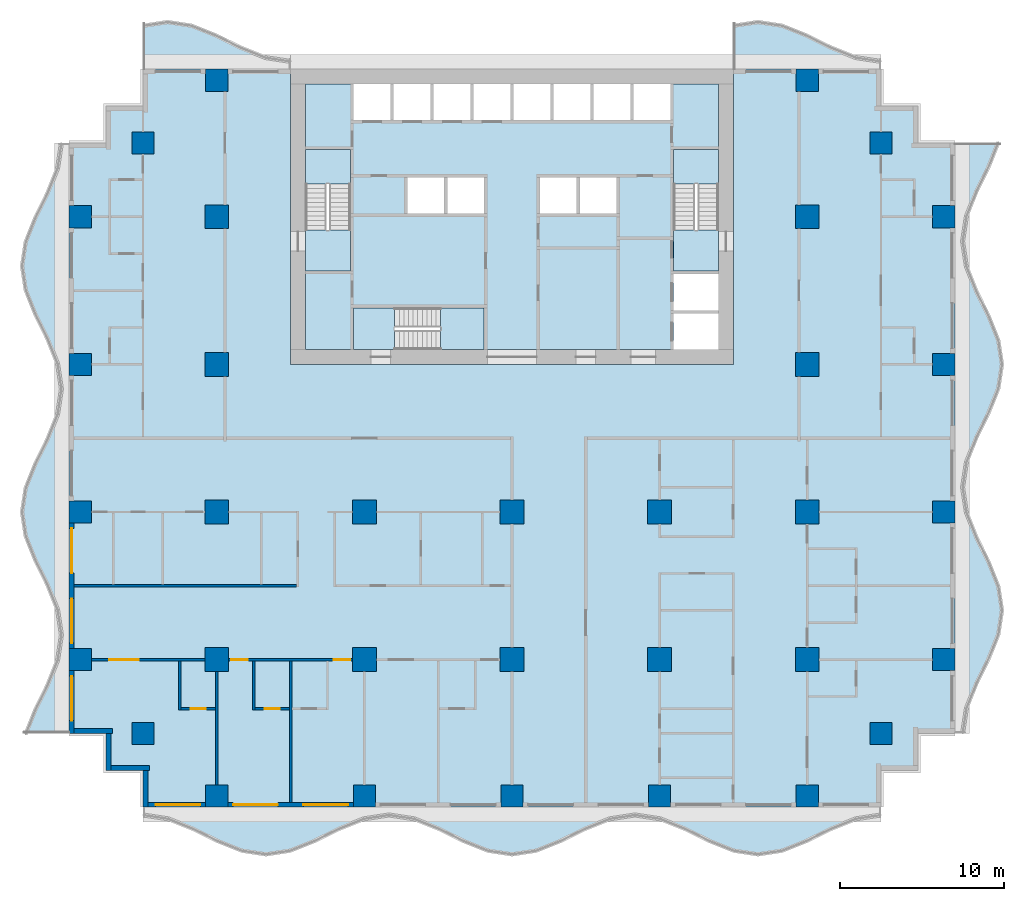
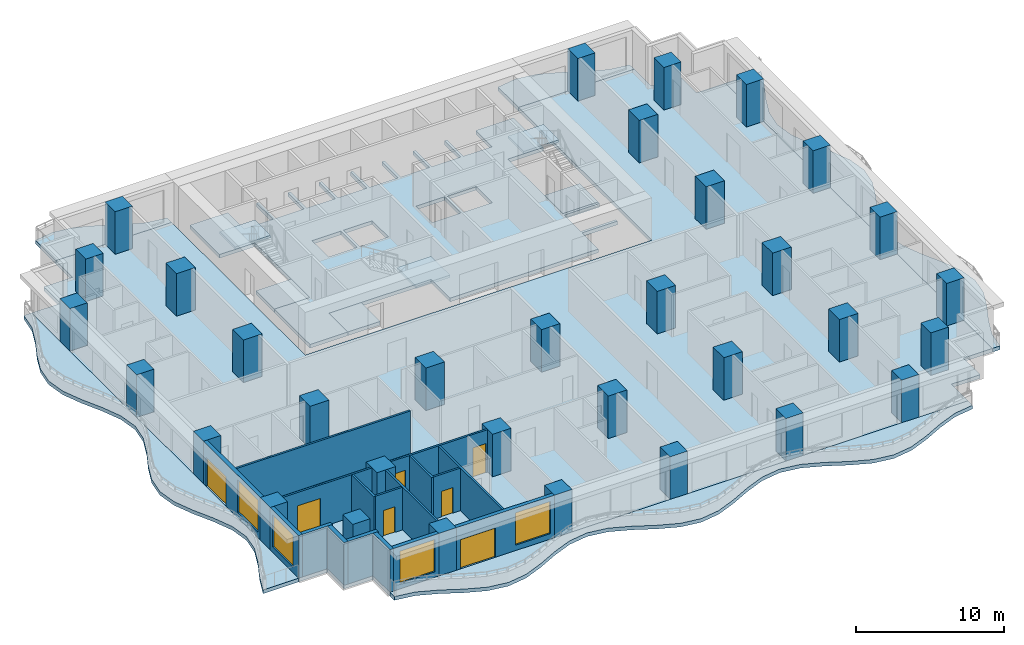
# One storey, part 1 of 13: 33 columns, 17 walls, 13 slabs, 7 doors, 4 windows, 11 openings, 3 elements without a shape of their own.
"""IFC4 building model written with IfcOpenShell, lengths in metres."""

from ifc_helpers import new_model, si_unit, direction, frame, frame_2d, origin, origin_2d, place, context, subcontext, project, spatial, polyline, rectangle, outline, extrude, material, layer, layer_set, material_profile, profile_set, type_object, element, fill, aggregate, save


model = new_model("IFC4")

# Units and contexts
model_context = context("Model", 3, precision=1e-05, world=origin(), true_north=direction((0.0, 1.0)))
body_context = subcontext(model_context, "Body", "Model", "MODEL_VIEW")
ifc_project = project(units=[si_unit("LENGTHUNIT", "METRE"), si_unit("AREAUNIT", "SQUARE_METRE"), si_unit("VOLUMEUNIT", "CUBIC_METRE"), si_unit("PLANEANGLEUNIT", "RADIAN"), si_unit("MASSUNIT", "GRAM", prefix="KILO")], contexts=[model_context])

# Site, building, storey
site_placement = place(None, origin())
site = spatial("IfcSite", under=ifc_project, at=site_placement, CompositionType="ELEMENT")
building_placement = place(site_placement, origin())
building = spatial("IfcBuilding", under=site, at=building_placement, Name="Orbiselva Terraces", CompositionType="ELEMENT")
storey_placement = place(building_placement, frame((0.0, 0.0, 69.4)))
storey = spatial("IfcBuildingStorey", under=building, at=storey_placement, Name="L17", CompositionType="ELEMENT", Elevation=69.4)

# Columns
ifc_material_1 = material(Name="Concrete C70/85", Category="concrete")
ifc_material_profile_1 = material_profile(ifc_material_1, rectangle(XDim=1.45, YDim=1.45, at=origin_2d()), Name="RC 1450x1450")
ifc_profile_set_1 = profile_set([ifc_material_profile_1], Name="Concrete C70/85")
column_type_1 = type_object("IfcColumnType", Name="COLUMN RC 1450x1450", PredefinedType="COLUMN", material=ifc_profile_set_1)
for number, where, z_axis, x_axis, name in (
    (1, (-18.0, -13.5, 0.0), (0.0, 0.0, 1.0), (1.0, 0.0, 0.0), "Column L17-01"),
    (2, (-18.0, -4.5, 0.0), (0.0, 0.0, 1.0), (1.0, 0.0, 0.0), "Column L17-03"),
    (3, (-18.0, 13.5, 0.0), (0.0, 0.0, 1.0), (1.0, 0.0, 0.0), "Column L17-04"),
    (4, (-18.0, 4.5, 0.0), (0.0, 0.0, 1.0), (1.0, 0.0, 0.0), "Column L17-06"),
    (5, (-9.0, -13.5, 0.0), (0.0, 0.0, 1.0), (1.0, 0.0, 0.0), "Column L17-13"),
    (6, (-9.0, -4.5, 0.0), (0.0, 0.0, 1.0), (1.0, 0.0, 0.0), "Column L17-15"),
    (7, (0.0, -13.5, 0.0), (0.0, 0.0, 1.0), (1.0, 0.0, 0.0), "Column L17-16"),
    (8, (0.0, -4.5, 0.0), (0.0, 0.0, 1.0), (1.0, 0.0, 0.0), "Column L17-18"),
    (9, (18.0, -13.5, 0.0), (0.0, 0.0, 1.0), (1.0, 0.0, 0.0), "Column L17-19"),
    (10, (18.0, -4.5, 0.0), (0.0, 0.0, 1.0), (1.0, 0.0, 0.0), "Column L17-21"),
    (11, (18.0, 13.5, 0.0), (0.0, 0.0, 1.0), (1.0, 0.0, 0.0), "Column L17-22"),
    (12, (18.0, 4.5, 0.0), (0.0, 0.0, 1.0), (1.0, 0.0, 0.0), "Column L17-24"),
    (13, (9.0, -13.5, 0.0), (0.0, 0.0, 1.0), (1.0, 0.0, 0.0), "Column L17-31"),
    (14, (9.0, -4.5, 0.0), (0.0, 0.0, 1.0), (1.0, 0.0, 0.0), "Column L17-33"),
):
    element("IfcColumn", number, at=place(storey_placement, frame(where, z_axis=z_axis, x_axis=x_axis)), inside=storey, type_object=column_type_1, Name=name, PredefinedType="COLUMN", context=body_context, shape_type="SweptSolid", body=[
        extrude(rectangle(XDim=1.45, YDim=1.45, at=origin_2d()), origin(), (0.0, 0.0, 1.0), 3.5),
    ])
ifc_material_profile_2 = material_profile(ifc_material_1, rectangle(XDim=1.35, YDim=1.35, at=origin_2d()), Name="RC 1350x1350")
ifc_profile_set_2 = profile_set([ifc_material_profile_2], Name="Concrete C70/85")
column_type_2 = type_object("IfcColumnType", Name="PERIMETER COLUMN RC 1350x1350", PredefinedType="COLUMN", material=ifc_profile_set_2)
for number, where, z_axis, x_axis, name in (
    (15, (-18.0, -21.825, 0.0), (0.0, 0.0, 1.0), (1.0, 0.0, 0.0), "Column L17-02"),
    (16, (-18.0, 21.825, 0.0), (0.0, 0.0, 1.0), (1.0, 0.0, 0.0), "Column L17-05"),
    (17, (-26.325, -13.5, 0.0), (0.0, 0.0, 1.0), (1.0, 0.0, 0.0), "Column L17-07"),
    (18, (-22.5, -18.0, 0.0), (0.0, 0.0, 1.0), (1.0, 0.0, 0.0), "Column L17-08"),
    (19, (-26.325, -4.5, 0.0), (0.0, 0.0, 1.0), (1.0, 0.0, 0.0), "Column L17-09"),
    (20, (-26.325, 13.5, 0.0), (0.0, 0.0, 1.0), (1.0, 0.0, 0.0), "Column L17-10"),
    (21, (-22.5, 18.0, 0.0), (0.0, 0.0, 1.0), (1.0, 0.0, 0.0), "Column L17-11"),
    (22, (-26.325, 4.5, 0.0), (0.0, 0.0, 1.0), (1.0, 0.0, 0.0), "Column L17-12"),
    (23, (-9.0, -21.825, 0.0), (0.0, 0.0, 1.0), (1.0, 0.0, 0.0), "Column L17-14"),
    (24, (0.0, -21.825, 0.0), (0.0, 0.0, 1.0), (1.0, 0.0, 0.0), "Column L17-17"),
    (25, (18.0, -21.825, 0.0), (0.0, 0.0, 1.0), (1.0, 0.0, 0.0), "Column L17-20"),
    (26, (18.0, 21.825, 0.0), (0.0, 0.0, 1.0), (1.0, 0.0, 0.0), "Column L17-23"),
    (27, (26.325, -13.5, 0.0), (0.0, 0.0, 1.0), (1.0, 0.0, 0.0), "Column L17-25"),
    (28, (22.5, -18.0, 0.0), (0.0, 0.0, 1.0), (1.0, 0.0, 0.0), "Column L17-26"),
    (29, (26.325, -4.5, 0.0), (0.0, 0.0, 1.0), (1.0, 0.0, 0.0), "Column L17-27"),
    (30, (26.325, 13.5, 0.0), (0.0, 0.0, 1.0), (1.0, 0.0, 0.0), "Column L17-28"),
    (31, (22.5, 18.0, 0.0), (0.0, 0.0, 1.0), (1.0, 0.0, 0.0), "Column L17-29"),
    (32, (26.325, 4.5, 0.0), (0.0, 0.0, 1.0), (1.0, 0.0, 0.0), "Column L17-30"),
    (33, (9.0, -21.825, 0.0), (0.0, 0.0, 1.0), (1.0, 0.0, 0.0), "Column L17-32"),
):
    element("IfcColumn", number, at=place(storey_placement, frame(where, z_axis=z_axis, x_axis=x_axis)), inside=storey, type_object=column_type_2, Name=name, PredefinedType="COLUMN", context=body_context, shape_type="SweptSolid", body=[
        extrude(rectangle(XDim=1.35, YDim=1.35, at=origin_2d()), origin(), (0.0, 0.0, 1.0), 3.5),
    ])

# Slabs
ifc_material_2 = material(Name="Concrete C40/50", Category="concrete")
ifc_layer_1 = layer(ifc_material_2, 0.3)
ifc_layer_set_1 = layer_set([ifc_layer_1], Name="Concrete C40/50")
slab_type_1 = type_object("IfcSlabType", Name="CORE-SLAB-FLOOR-300", PredefinedType="FLOOR", material=ifc_layer_set_1)
slab_1_placement = place(storey_placement, frame((0.0, 0.0, -0.3)))
element("IfcSlab", 34, at=slab_1_placement, inside=storey, type_object=slab_type_1, Name="L17 S1 floor landing", PredefinedType="FLOOR", context=body_context, shape_type="SweptSolid", body=[
    extrude(outline(polyline([(-12.6, 12.7), (-9.85, 12.7), (-9.85, 10.2), (-12.6, 10.2), (-12.6, 12.7)])), origin(), (0.0, 0.0, 1.0), 0.3),
])
slab_2_placement = place(storey_placement, frame((0.0, 0.0, -0.3)))
element("IfcSlab", 35, at=slab_2_placement, inside=storey, type_object=slab_type_1, Name="L17 S2 floor landing", PredefinedType="FLOOR", context=body_context, shape_type="SweptSolid", body=[
    extrude(outline(polyline([(12.6, 12.7), (12.6, 10.2), (9.85, 10.2), (9.85, 12.7), (12.6, 12.7)])), origin(), (0.0, 0.0, 1.0), 0.3),
])
slab_3_placement = place(storey_placement, frame((0.0, 0.0, -0.3)))
element("IfcSlab", 36, at=slab_3_placement, inside=storey, type_object=slab_type_1, Name="L17 S3 floor landing", PredefinedType="FLOOR", context=body_context, shape_type="SweptSolid", body=[
    extrude(outline(polyline([(-7.15, 5.4), (-9.65, 5.4), (-9.65, 7.95), (-7.15, 7.95), (-7.15, 5.4)])), origin(), (0.0, 0.0, 1.0), 0.3),
])
slab_4_placement = place(storey_placement, frame((0.0, 0.0, -0.3)))
element("IfcSlab", 37, at=slab_4_placement, inside=storey, type_object=slab_type_1, Name="L17 core floor slab 1", PredefinedType="FLOOR", context=body_context, shape_type="SweptSolid", body=[
    extrude(outline(polyline([(-1.7, 5.4), (-1.7, 7.95), (-9.65, 7.95), (-9.65, 5.4), (-12.6, 5.4), (-12.6, 10.2), (-9.85, 10.2), (-9.85, 17.6), (-12.6, 17.6), (-12.6, 21.6), (-9.65, 21.6), (-9.65, 19.4), (-7.4125, 19.4), (-7.4125, 21.6), (-7.2125, 21.6), (-7.2125, 19.4), (-4.975, 19.4), (-4.975, 21.6), (-4.775, 21.6), (-4.775, 19.4), (-2.5375, 19.4), (-2.5375, 21.6), (-2.3375, 21.6), (-2.3375, 19.4), (-0.1, 19.4), (-0.1, 21.6), (0.1, 21.6), (0.1, 19.4), (2.3375, 19.4), (2.3375, 21.6), (2.5375, 21.6), (2.5375, 19.4), (4.775, 19.4), (4.775, 21.6), (4.975, 21.6), (4.975, 19.4), (7.2125, 19.4), (7.2125, 21.6), (7.4125, 21.6), (7.4125, 19.4), (9.65, 19.4), (9.65, 21.6), (12.6, 21.6), (12.6, 17.6), (9.85, 17.6), (9.85, 10.2), (12.6, 10.2), (12.6, 10.0), (9.85, 10.0), (9.85, 7.8), (12.6, 7.8), (12.6, 7.6), (9.85, 7.6), (9.85, 5.4), (-1.7, 5.4)]), holes=[polyline([(-4.1375, 13.7), (-4.1375, 15.9), (-6.375, 15.9), (-6.375, 13.7), (-4.1375, 13.7)]), polyline([(-1.7, 13.7), (-1.7, 15.9), (-3.9375, 15.9), (-3.9375, 13.7), (-1.7, 13.7)]), polyline([(3.9375, 13.7), (3.9375, 15.9), (1.7, 15.9), (1.7, 13.7), (3.9375, 13.7)]), polyline([(6.375, 13.7), (6.375, 15.9), (4.1375, 15.9), (4.1375, 13.7), (6.375, 13.7)])]), origin(), (0.0, 0.0, 1.0), 0.3),
])

# Stair, slab
stair_type_1 = type_object("IfcStairType", Name="CORE-STAIR-1300", PredefinedType="HALF_TURN_STAIR", material=ifc_material_2)
stair_1_placement = place(storey_placement, origin())
stair_1 = element("IfcStair", 38, at=stair_1_placement, inside=storey, type_object=stair_type_1, Name="L17 Exit Stair S1", PredefinedType="HALF_TURN_STAIR")
ifc_layer_2 = layer(ifc_material_2, 0.2)
ifc_layer_set_2 = layer_set([ifc_layer_2], Name="Concrete C40/50")
slab_type_2 = type_object("IfcSlabType", Name="CORE-STAIR-LANDING-200", PredefinedType="LANDING", material=ifc_layer_set_2)
slab_5_placement = place(storey_placement, frame((0.0, 0.0, 1.7)))
slab_5 = element("IfcSlab", 39, at=slab_5_placement, type_object=slab_type_2, Name="S1 landing 1", PredefinedType="LANDING", context=body_context, shape_type="SweptSolid", body=[
    extrude(outline(polyline([(-9.85, 15.5), (-9.85, 17.6), (-12.6, 17.6), (-12.6, 15.5), (-9.85, 15.5)])), origin(), (0.0, 0.0, 1.0), 0.2),
])
aggregate(stair_1, [slab_5])

stair_2_placement = place(storey_placement, origin())
stair_2 = element("IfcStair", 40, at=stair_2_placement, inside=storey, type_object=stair_type_1, Name="L17 Exit Stair S2", PredefinedType="HALF_TURN_STAIR")
slab_6_placement = place(storey_placement, frame((0.0, 0.0, 1.7)))
slab_6 = element("IfcSlab", 41, at=slab_6_placement, type_object=slab_type_2, Name="S2 landing 1", PredefinedType="LANDING", context=body_context, shape_type="SweptSolid", body=[
    extrude(outline(polyline([(12.6, 15.5), (12.6, 17.6), (9.85, 17.6), (9.85, 15.5), (12.6, 15.5)])), origin(), (0.0, 0.0, 1.0), 0.2),
])
aggregate(stair_2, [slab_6])

stair_type_2 = type_object("IfcStairType", Name="CORE-STAIR-1200", PredefinedType="HALF_TURN_STAIR", material=ifc_material_2)
stair_3_placement = place(storey_placement, origin())
stair_3 = element("IfcStair", 42, at=stair_3_placement, inside=storey, type_object=stair_type_2, Name="L17 Exit Stair S3", PredefinedType="HALF_TURN_STAIR")
slab_7_placement = place(storey_placement, frame((0.0, 0.0, 1.7)))
slab_7 = element("IfcSlab", 43, at=slab_7_placement, type_object=slab_type_2, Name="S3 landing 1", PredefinedType="LANDING", context=body_context, shape_type="SweptSolid", body=[
    extrude(outline(polyline([(-4.35, 5.4), (-1.7, 5.4), (-1.7, 7.95), (-4.35, 7.95), (-4.35, 5.4)])), origin(), (0.0, 0.0, 1.0), 0.2),
])
aggregate(stair_3, [slab_7])

# Slabs
ifc_material_3 = material(Name="Concrete C50/60", Category="concrete")
ifc_layer_3 = layer(ifc_material_3, 0.3)
ifc_layer_set_3 = layer_set([ifc_layer_3], Name="Concrete C50/60")
slab_type_3 = type_object("IfcSlabType", Name="ENV-BALCONY-SLAB-300", PredefinedType="FLOOR", material=ifc_layer_set_3)
slab_8_placement = place(storey_placement, frame((0.0, 0.0, -0.3)))
element("IfcSlab", 44, at=slab_8_placement, inside=storey, type_object=slab_type_3, Name="Balcony slab L17 S", PredefinedType="FLOOR", context=body_context, shape_type="SweptSolid", body=[
    extrude(outline(polyline([(-22.5, -23.1), (-21.0, -23.32918), (-19.5, -23.92918), (-18.0, -24.67082), (-16.5, -25.27082), (-15.0, -25.5), (-13.5, -25.27082), (-12.0, -24.67082), (-10.5, -23.92918), (-9.0, -23.32918), (-7.5, -23.1), (-6.0, -23.32918), (-4.5, -23.92918), (-3.0, -24.67082), (-1.5, -25.27082), (0.0, -25.5), (1.5, -25.27082), (3.0, -24.67082), (4.5, -23.92918), (6.0, -23.32918), (7.5, -23.1), (9.0, -23.32918), (10.5, -23.92918), (12.0, -24.67082), (13.5, -25.27082), (15.0, -25.5), (16.5, -25.27082), (18.0, -24.67082), (19.5, -23.92918), (21.0, -23.32918), (22.5, -23.1), (22.5, -22.5), (-22.5, -22.5), (-22.5, -23.1)])), origin(), (0.0, 0.0, 1.0), 0.3),
])
slab_9_placement = place(storey_placement, frame((0.0, 0.0, -0.3)))
element("IfcSlab", 45, at=slab_9_placement, inside=storey, type_object=slab_type_3, Name="Balcony slab L17 E", PredefinedType="FLOOR", context=body_context, shape_type="SweptSolid", body=[
    extrude(outline(polyline([(27.6, -18.0), (27.82918, -16.5), (28.42918, -15.0), (29.17082, -13.5), (29.77082, -12.0), (30.0, -10.5), (29.77082, -9.0), (29.17082, -7.5), (28.42918, -6.0), (27.82918, -4.5), (27.6, -3.0), (27.82918, -1.5), (28.42918, 0.0), (29.17082, 1.5), (29.77082, 3.0), (30.0, 4.5), (29.77082, 6.0), (29.17082, 7.5), (28.42918, 9.0), (27.82918, 10.5), (27.6, 12.0), (27.82918, 13.5), (28.42918, 15.0), (29.17082, 16.5), (29.77082, 18.0), (27.0, 18.0), (27.0, -18.0), (27.6, -18.0)])), origin(), (0.0, 0.0, 1.0), 0.3),
])
slab_10_placement = place(storey_placement, frame((0.0, 0.0, -0.3)))
element("IfcSlab", 46, at=slab_10_placement, inside=storey, type_object=slab_type_3, Name="Balcony slab L17 NE", PredefinedType="FLOOR", context=body_context, shape_type="SweptSolid", body=[
    extrude(outline(polyline([(22.5, 23.1), (21.0, 23.32918), (19.5, 23.92918), (18.0, 24.67082), (16.5, 25.27082), (15.0, 25.5), (13.5, 25.27082), (13.5, 22.5), (22.5, 22.5), (22.5, 23.1)])), origin(), (0.0, 0.0, 1.0), 0.3),
])
slab_11_placement = place(storey_placement, frame((0.0, 0.0, -0.3)))
element("IfcSlab", 47, at=slab_11_placement, inside=storey, type_object=slab_type_3, Name="Balcony slab L17 NW", PredefinedType="FLOOR", context=body_context, shape_type="SweptSolid", body=[
    extrude(outline(polyline([(-13.5, 23.1), (-15.0, 23.32918), (-16.5, 23.92918), (-18.0, 24.67082), (-19.5, 25.27082), (-21.0, 25.5), (-22.5, 25.27082), (-22.5, 22.5), (-13.5, 22.5), (-13.5, 23.1)])), origin(), (0.0, 0.0, 1.0), 0.3),
])
slab_12_placement = place(storey_placement, frame((0.0, 0.0, -0.3)))
element("IfcSlab", 48, at=slab_12_placement, inside=storey, type_object=slab_type_3, Name="Balcony slab L17 W", PredefinedType="FLOOR", context=body_context, shape_type="SweptSolid", body=[
    extrude(outline(polyline([(-27.6, 18.0), (-27.82918, 16.5), (-28.42918, 15.0), (-29.17082, 13.5), (-29.77082, 12.0), (-30.0, 10.5), (-29.77082, 9.0), (-29.17082, 7.5), (-28.42918, 6.0), (-27.82918, 4.5), (-27.6, 3.0), (-27.82918, 1.5), (-28.42918, 0.0), (-29.17082, -1.5), (-29.77082, -3.0), (-30.0, -4.5), (-29.77082, -6.0), (-29.17082, -7.5), (-28.42918, -9.0), (-27.82918, -10.5), (-27.6, -12.0), (-27.82918, -13.5), (-28.42918, -15.0), (-29.17082, -16.5), (-29.77082, -18.0), (-27.0, -18.0), (-27.0, 18.0), (-27.6, 18.0)])), origin(), (0.0, 0.0, 1.0), 0.3),
])
ifc_layer_4 = layer(ifc_material_3, 0.3)
ifc_layer_set_4 = layer_set([ifc_layer_4], Name="Concrete C50/60")
slab_type_4 = type_object("IfcSlabType", Name="FLOOR SLAB 300", PredefinedType="FLOOR", material=ifc_layer_set_4)
slab_13_placement = place(storey_placement, frame((0.0, 0.0, -0.3)))
element("IfcSlab", 49, at=slab_13_placement, inside=storey, type_object=slab_type_4, Name="Floor slab L17", PredefinedType="FLOOR", context=body_context, shape_type="SweptSolid", body=[
    extrude(outline(polyline([(22.5, 22.5), (22.5, 20.25), (24.75, 20.25), (24.75, 18.0), (27.0, 18.0), (27.0, -18.0), (24.75, -18.0), (24.75, -20.25), (22.5, -20.25), (22.5, -22.5), (-22.5, -22.5), (-22.5, -20.25), (-24.75, -20.25), (-24.75, -18.0), (-27.0, -18.0), (-27.0, 18.0), (-24.75, 18.0), (-24.75, 20.25), (-22.5, 20.25), (-22.5, 22.5), (-13.5, 22.5), (-13.5, 4.5), (13.5, 4.5), (13.5, 22.5), (22.5, 22.5)])), origin(), (0.0, 0.0, 1.0), 0.3),
])

# Wall, opening, window
ifc_material_4 = material(Name="Terracotta cladding on masonry backing", Category="masonry")
ifc_layer_5 = layer(ifc_material_4, 0.3)
ifc_layer_set_5 = layer_set([ifc_layer_5], Name="Terracotta cladding on masonry backing")
wall_type_1 = type_object("IfcWallType", Name="ENV-WALL-TERRACOTTA-300", PredefinedType="SOLIDWALL", material=ifc_layer_set_5)
wall_1_placement = place(storey_placement, frame((-18.675, -22.35, 0.0), z_axis=(0.0, 0.0, 1.0), x_axis=(-1.0, 0.0, 0.0)))
wall_1 = element("IfcWall", 50, at=wall_1_placement, inside=storey, type_object=wall_type_1, Name="Facade wall L17 S", PredefinedType="SOLIDWALL", context=body_context, shape_type="SweptSolid", body=[
    extrude(rectangle(XDim=3.525, YDim=0.3, at=frame_2d((1.7625, 0.0))), origin(), (0.0, 0.0, 1.0), 3.5),
])
opening_1_placement = place(wall_1_placement, frame((0.325, 0.0, 0.45)))
opening_1 = element("IfcOpeningElement", 51, at=opening_1_placement, cuts=wall_1, Name="Opening WN5", PredefinedType="OPENING", context=body_context, shape_type="SweptSolid", body=[
    extrude(rectangle(XDim=2.725, YDim=2.65, at=frame_2d((1.3625, 1.325))), frame((0.0, 0.16, 0.0), z_axis=(0.0, -1.0, 0.0), x_axis=(1.0, 0.0, 0.0)), (0.0, 0.0, 1.0), 0.32),
])
ifc_material_5 = material(Name="Clear low-e glazing in aluminium frame", Category="aluminium")
window_type = type_object("IfcWindowType", Name="WINDOW 2725 X 2650 S450", PartitioningType="TRIPLE_PANEL_VERTICAL", PredefinedType="WINDOW", material=ifc_material_5)
window_1_placement = place(opening_1_placement, origin())
window_1 = element("IfcWindow", 52, at=window_1_placement, inside=storey, type_object=window_type, Name="Window L17 S", OverallHeight=2.65, OverallWidth=2.725, PartitioningType="SINGLE_PANEL", PredefinedType="WINDOW", context=body_context, shape_type="SweptSolid", body=[
    extrude(rectangle(XDim=2.725, YDim=2.65, at=frame_2d((1.3625, 1.325))), frame((0.0, 0.03, 0.0), z_axis=(0.0, -1.0, 0.0), x_axis=(1.0, 0.0, 0.0)), (0.0, 0.0, 1.0), 0.06),
])
fill(opening_1, window_1)

# Wall, openings, door, window
wall_2_placement = place(storey_placement, frame((-9.675, -22.35, 0.0), z_axis=(0.0, 0.0, 1.0), x_axis=(-1.0, 0.0, 0.0)))
wall_2 = element("IfcWall", 53, at=wall_2_placement, inside=storey, type_object=wall_type_1, Name="Facade wall L17 S", PredefinedType="SOLIDWALL", context=body_context, shape_type="SweptSolid", body=[
    extrude(rectangle(XDim=7.65, YDim=0.3, at=frame_2d((3.825, 0.0))), origin(), (0.0, 0.0, 1.0), 3.5),
])
opening_2_placement = place(wall_2_placement, frame((4.6, 0.0, 0.0)))
opening_2 = element("IfcOpeningElement", 54, at=opening_2_placement, cuts=wall_2, Name="Opening Z2-A-E01", PredefinedType="OPENING", context=body_context, shape_type="SweptSolid", body=[
    extrude(rectangle(XDim=2.725, YDim=2.4, at=frame_2d((1.3625, 1.2))), frame((0.0, 0.16, 0.0), z_axis=(0.0, -1.0, 0.0), x_axis=(1.0, 0.0, 0.0)), (0.0, 0.0, 1.0), 0.32),
])
opening_3_placement = place(wall_2_placement, frame((0.325, 0.0, 0.45)))
opening_3 = element("IfcOpeningElement", 55, at=opening_3_placement, cuts=wall_2, Name="Opening WN5", PredefinedType="OPENING", context=body_context, shape_type="SweptSolid", body=[
    extrude(rectangle(XDim=2.725, YDim=2.65, at=frame_2d((1.3625, 1.325))), frame((0.0, 0.16, 0.0), z_axis=(0.0, -1.0, 0.0), x_axis=(1.0, 0.0, 0.0)), (0.0, 0.0, 1.0), 0.32),
])
door_type_1 = type_object("IfcDoorType", Name="BALCONY DOOR 2725 X 2400", OperationType="DOUBLE_DOOR_SLIDING", PredefinedType="DOOR", material=ifc_material_5)
door_1_placement = place(opening_2_placement, origin())
door_1 = element("IfcDoor", 56, at=door_1_placement, inside=storey, type_object=door_type_1, Name="Z2-A-E01", OperationType="SINGLE_SWING_LEFT", OverallHeight=2.4, OverallWidth=2.725, PredefinedType="DOOR", context=body_context, shape_type="SweptSolid", body=[
    extrude(rectangle(XDim=2.725, YDim=2.4, at=frame_2d((1.3625, 1.2))), frame((0.0, 0.025, 0.0), z_axis=(0.0, -1.0, 0.0), x_axis=(1.0, 0.0, 0.0)), (0.0, 0.0, 1.0), 0.05),
])
fill(opening_2, door_1)
window_2_placement = place(opening_3_placement, origin())
window_2 = element("IfcWindow", 57, at=window_2_placement, inside=storey, type_object=window_type, Name="Window L17 S", OverallHeight=2.65, OverallWidth=2.725, PartitioningType="SINGLE_PANEL", PredefinedType="WINDOW", context=body_context, shape_type="SweptSolid", body=[
    extrude(rectangle(XDim=2.725, YDim=2.65, at=frame_2d((1.3625, 1.325))), frame((0.0, 0.03, 0.0), z_axis=(0.0, -1.0, 0.0), x_axis=(1.0, 0.0, 0.0)), (0.0, 0.0, 1.0), 0.06),
])
fill(opening_3, window_2)

wall_3_placement = place(storey_placement, frame((-26.85, -12.825, 0.0), z_axis=(0.0, 0.0, 1.0), x_axis=(0.0, 1.0, 0.0)))
wall_3 = element("IfcWall", 58, at=wall_3_placement, inside=storey, type_object=wall_type_1, Name="Facade wall L17 W", PredefinedType="SOLIDWALL", context=body_context, shape_type="SweptSolid", body=[
    extrude(rectangle(XDim=7.65, YDim=0.3, at=frame_2d((3.825, 0.0))), origin(), (0.0, 0.0, 1.0), 3.5),
])
opening_4_placement = place(wall_3_placement, frame((4.6, 0.0, 0.0)))
opening_4 = element("IfcOpeningElement", 59, at=opening_4_placement, cuts=wall_3, Name="Opening Z2-A-E12", PredefinedType="OPENING", context=body_context, shape_type="SweptSolid", body=[
    extrude(rectangle(XDim=2.725, YDim=2.4, at=frame_2d((1.3625, 1.2))), frame((0.0, 0.16, 0.0), z_axis=(0.0, -1.0, 0.0), x_axis=(1.0, 0.0, 0.0)), (0.0, 0.0, 1.0), 0.32),
])
opening_5_placement = place(wall_3_placement, frame((0.325, 0.0, 0.45)))
opening_5 = element("IfcOpeningElement", 60, at=opening_5_placement, cuts=wall_3, Name="Opening WN5", PredefinedType="OPENING", context=body_context, shape_type="SweptSolid", body=[
    extrude(rectangle(XDim=2.725, YDim=2.65, at=frame_2d((1.3625, 1.325))), frame((0.0, 0.16, 0.0), z_axis=(0.0, -1.0, 0.0), x_axis=(1.0, 0.0, 0.0)), (0.0, 0.0, 1.0), 0.32),
])
door_2_placement = place(opening_4_placement, origin())
door_2 = element("IfcDoor", 61, at=door_2_placement, inside=storey, type_object=door_type_1, Name="Z2-A-E12", OperationType="SINGLE_SWING_LEFT", OverallHeight=2.4, OverallWidth=2.725, PredefinedType="DOOR", context=body_context, shape_type="SweptSolid", body=[
    extrude(rectangle(XDim=2.725, YDim=2.4, at=frame_2d((1.3625, 1.2))), frame((0.0, 0.025, 0.0), z_axis=(0.0, -1.0, 0.0), x_axis=(1.0, 0.0, 0.0)), (0.0, 0.0, 1.0), 0.05),
])
fill(opening_4, door_2)
window_3_placement = place(opening_5_placement, origin())
window_3 = element("IfcWindow", 62, at=window_3_placement, inside=storey, type_object=window_type, Name="Window L17 W", OverallHeight=2.65, OverallWidth=2.725, PartitioningType="SINGLE_PANEL", PredefinedType="WINDOW", context=body_context, shape_type="SweptSolid", body=[
    extrude(rectangle(XDim=2.725, YDim=2.65, at=frame_2d((1.3625, 1.325))), frame((0.0, 0.03, 0.0), z_axis=(0.0, -1.0, 0.0), x_axis=(1.0, 0.0, 0.0)), (0.0, 0.0, 1.0), 0.06),
])
fill(opening_5, window_3)

# Wall, opening, window
wall_4_placement = place(storey_placement, frame((-26.85, -18.0, 0.0), z_axis=(0.0, 0.0, 1.0), x_axis=(0.0, 1.0, 0.0)))
wall_4 = element("IfcWall", 63, at=wall_4_placement, inside=storey, type_object=wall_type_1, Name="Facade wall L17 W", PredefinedType="SOLIDWALL", context=body_context, shape_type="SweptSolid", body=[
    extrude(rectangle(XDim=3.825, YDim=0.3, at=frame_2d((1.9125, 0.0))), origin(), (0.0, 0.0, 1.0), 3.5),
])
opening_6_placement = place(wall_4_placement, frame((0.775, 0.0, 0.45)))
opening_6 = element("IfcOpeningElement", 64, at=opening_6_placement, cuts=wall_4, Name="Opening WN5", PredefinedType="OPENING", context=body_context, shape_type="SweptSolid", body=[
    extrude(rectangle(XDim=2.725, YDim=2.65, at=frame_2d((1.3625, 1.325))), frame((0.0, 0.16, 0.0), z_axis=(0.0, -1.0, 0.0), x_axis=(1.0, 0.0, 0.0)), (0.0, 0.0, 1.0), 0.32),
])
window_4_placement = place(opening_6_placement, origin())
window_4 = element("IfcWindow", 65, at=window_4_placement, inside=storey, type_object=window_type, Name="Window L17 W", OverallHeight=2.65, OverallWidth=2.725, PartitioningType="SINGLE_PANEL", PredefinedType="WINDOW", context=body_context, shape_type="SweptSolid", body=[
    extrude(rectangle(XDim=2.725, YDim=2.65, at=frame_2d((1.3625, 1.325))), frame((0.0, 0.03, 0.0), z_axis=(0.0, -1.0, 0.0), x_axis=(1.0, 0.0, 0.0)), (0.0, 0.0, 1.0), 0.06),
])
fill(opening_6, window_4)

# Walls
wall_5_placement = place(storey_placement, frame((-24.35, -17.85, 0.0), z_axis=(0.0, 0.0, 1.0), x_axis=(-1.0, 0.0, 0.0)))
element("IfcWall", 66, at=wall_5_placement, inside=storey, type_object=wall_type_1, Name="Facade wall L17 STEP", PredefinedType="SOLIDWALL", context=body_context, shape_type="SweptSolid", body=[
    extrude(rectangle(XDim=2.35, YDim=0.3, at=frame_2d((1.175, 0.0))), origin(), (0.0, 0.0, 1.0), 3.5),
])
wall_6_placement = place(storey_placement, frame((-24.6, -20.25, 0.0), z_axis=(0.0, 0.0, 1.0), x_axis=(0.0, 1.0, 0.0)))
element("IfcWall", 67, at=wall_6_placement, inside=storey, type_object=wall_type_1, Name="Facade wall L17 STEP", PredefinedType="SOLIDWALL", context=body_context, shape_type="SweptSolid", body=[
    extrude(rectangle(XDim=2.25, YDim=0.3, at=frame_2d((1.125, 0.0))), origin(), (0.0, 0.0, 1.0), 3.5),
])
wall_7_placement = place(storey_placement, frame((-22.1, -20.1, 0.0), z_axis=(0.0, 0.0, 1.0), x_axis=(-1.0, 0.0, 0.0)))
element("IfcWall", 68, at=wall_7_placement, inside=storey, type_object=wall_type_1, Name="Facade wall L17 STEP", PredefinedType="SOLIDWALL", context=body_context, shape_type="SweptSolid", body=[
    extrude(rectangle(XDim=2.35, YDim=0.3, at=frame_2d((1.175, 0.0))), origin(), (0.0, 0.0, 1.0), 3.5),
])
wall_8_placement = place(storey_placement, frame((-22.35, -22.5, 0.0), z_axis=(0.0, 0.0, 1.0), x_axis=(0.0, 1.0, 0.0)))
element("IfcWall", 69, at=wall_8_placement, inside=storey, type_object=wall_type_1, Name="Facade wall L17 STEP", PredefinedType="SOLIDWALL", context=body_context, shape_type="SweptSolid", body=[
    extrude(rectangle(XDim=2.25, YDim=0.3, at=frame_2d((1.125, 0.0))), origin(), (0.0, 0.0, 1.0), 3.5),
])

# Wall, opening, door
ifc_material_6 = material(Name="Plasterboard on steel stud partition", Category="steel")
ifc_layer_6 = layer(ifc_material_6, 0.15)
ifc_layer_set_6 = layer_set([ifc_layer_6], Name="Plasterboard on steel stud partition")
wall_type_2 = type_object("IfcWallType", Name="UNIT-PARTITION-150", PredefinedType="PARTITIONING", material=ifc_layer_set_6)
wall_9_placement = place(storey_placement, frame((-20.175, -16.5, 0.0), z_axis=(0.0, 0.0, 1.0), x_axis=(1.0, 0.0, 0.0)))
wall_9 = element("IfcWall", 70, at=wall_9_placement, inside=storey, type_object=wall_type_2, Name="PARTITION L17-003", PredefinedType="PARTITIONING", context=body_context, shape_type="SweptSolid", body=[
    extrude(rectangle(XDim=2.1, YDim=0.15, at=frame_2d((1.05, 0.0))), origin(), (0.0, 0.0, 1.0), 3.5),
])
opening_7_placement = place(wall_9_placement, frame((0.6, 0.0, 0.0)))
opening_7 = element("IfcOpeningElement", 71, at=opening_7_placement, cuts=wall_9, Name="Opening Z2-A-24", PredefinedType="OPENING", context=body_context, shape_type="SweptSolid", body=[
    extrude(rectangle(XDim=0.9, YDim=2.1, at=frame_2d((0.45, 1.05))), frame((0.0, 0.085, 0.0), z_axis=(0.0, -1.0, 0.0), x_axis=(1.0, 0.0, 0.0)), (0.0, 0.0, 1.0), 0.17),
])
ifc_material_7 = material(Name="Painted timber door leaf", Category="wood")
door_type_2 = type_object("IfcDoorType", Name="BATH DOOR 900", OperationType="NOTDEFINED", PredefinedType="DOOR", material=ifc_material_7)
door_3_placement = place(opening_7_placement, origin())
door_3 = element("IfcDoor", 72, at=door_3_placement, inside=storey, type_object=door_type_2, Name="Z2-A-24", OperationType="SINGLE_SWING_LEFT", OverallHeight=2.1, OverallWidth=0.9, PredefinedType="DOOR", context=body_context, shape_type="SweptSolid", body=[
    extrude(rectangle(XDim=0.9, YDim=2.1, at=frame_2d((0.45, 1.05))), frame((0.0, 0.025, 0.0), z_axis=(0.0, -1.0, 0.0), x_axis=(1.0, 0.0, 0.0)), (0.0, 0.0, 1.0), 0.05),
])
fill(opening_7, door_3)

wall_10_placement = place(storey_placement, frame((-15.675, -16.5, 0.0), z_axis=(0.0, 0.0, 1.0), x_axis=(1.0, 0.0, 0.0)))
wall_10 = element("IfcWall", 73, at=wall_10_placement, inside=storey, type_object=wall_type_2, Name="PARTITION L17-004", PredefinedType="PARTITIONING", context=body_context, shape_type="SweptSolid", body=[
    extrude(rectangle(XDim=2.1, YDim=0.15, at=frame_2d((1.05, 0.0))), origin(), (0.0, 0.0, 1.0), 3.5),
])
opening_8_placement = place(wall_10_placement, frame((0.6, 0.0, 0.0)))
opening_8 = element("IfcOpeningElement", 74, at=opening_8_placement, cuts=wall_10, Name="Opening Z2-A-26", PredefinedType="OPENING", context=body_context, shape_type="SweptSolid", body=[
    extrude(rectangle(XDim=0.9, YDim=2.1, at=frame_2d((0.45, 1.05))), frame((0.0, 0.085, 0.0), z_axis=(0.0, -1.0, 0.0), x_axis=(1.0, 0.0, 0.0)), (0.0, 0.0, 1.0), 0.17),
])
door_4_placement = place(opening_8_placement, origin())
door_4 = element("IfcDoor", 75, at=door_4_placement, inside=storey, type_object=door_type_2, Name="Z2-A-26", OperationType="SINGLE_SWING_LEFT", OverallHeight=2.1, OverallWidth=0.9, PredefinedType="DOOR", context=body_context, shape_type="SweptSolid", body=[
    extrude(rectangle(XDim=0.9, YDim=2.1, at=frame_2d((0.45, 1.05))), frame((0.0, 0.025, 0.0), z_axis=(0.0, -1.0, 0.0), x_axis=(1.0, 0.0, 0.0)), (0.0, 0.0, 1.0), 0.05),
])
fill(opening_8, door_4)

wall_11_placement = place(storey_placement, frame((-18.725, -13.5, 0.0), z_axis=(0.0, 0.0, 1.0), x_axis=(-1.0, 0.0, 0.0)))
wall_11 = element("IfcWall", 76, at=wall_11_placement, inside=storey, type_object=wall_type_2, Name="PARTITION L17-009", PredefinedType="PARTITIONING", context=body_context, shape_type="SweptSolid", body=[
    extrude(rectangle(XDim=6.925, YDim=0.15, at=frame_2d((3.4625, 0.0))), origin(), (0.0, 0.0, 1.0), 3.5),
])
opening_9_placement = place(wall_11_placement, frame((4.025, 0.0, 0.0)))
opening_9 = element("IfcOpeningElement", 77, at=opening_9_placement, cuts=wall_11, Name="Opening Z2-A-23", PredefinedType="OPENING", context=body_context, shape_type="SweptSolid", body=[
    extrude(rectangle(XDim=1.8, YDim=2.4, at=frame_2d((0.9, 1.2))), frame((0.0, 0.085, 0.0), z_axis=(0.0, -1.0, 0.0), x_axis=(1.0, 0.0, 0.0)), (0.0, 0.0, 1.0), 0.17),
])
door_type_3 = type_object("IfcDoorType", Name="DOUBLE DOOR 1800", OperationType="NOTDEFINED", PredefinedType="DOOR", material=ifc_material_7)
door_5_placement = place(opening_9_placement, origin())
door_5 = element("IfcDoor", 78, at=door_5_placement, inside=storey, type_object=door_type_3, Name="Z2-A-23", OperationType="DOUBLE_DOOR_SINGLE_SWING", OverallHeight=2.4, OverallWidth=1.8, PredefinedType="DOOR", context=body_context, shape_type="SweptSolid", body=[
    extrude(rectangle(XDim=1.8, YDim=2.4, at=frame_2d((0.9, 1.2))), frame((0.0, 0.025, 0.0), z_axis=(0.0, -1.0, 0.0), x_axis=(1.0, 0.0, 0.0)), (0.0, 0.0, 1.0), 0.05),
])
fill(opening_9, door_5)

# Wall, openings, doors
wall_12_placement = place(storey_placement, frame((-9.725, -13.5, 0.0), z_axis=(0.0, 0.0, 1.0), x_axis=(-1.0, 0.0, 0.0)))
wall_12 = element("IfcWall", 79, at=wall_12_placement, inside=storey, type_object=wall_type_2, Name="PARTITION L17-010", PredefinedType="PARTITIONING", context=body_context, shape_type="SweptSolid", body=[
    extrude(rectangle(XDim=7.55, YDim=0.15, at=frame_2d((3.775, 0.0))), origin(), (0.0, 0.0, 1.0), 3.5),
])
opening_10_placement = place(wall_12_placement, frame((6.4, 0.0, 0.0)))
opening_10 = element("IfcOpeningElement", 80, at=opening_10_placement, cuts=wall_12, Name="Opening Z2-A-25", PredefinedType="OPENING", context=body_context, shape_type="SweptSolid", body=[
    extrude(rectangle(XDim=1.0, YDim=2.4, at=frame_2d((0.5, 1.2))), frame((0.0, 0.085, 0.0), z_axis=(0.0, -1.0, 0.0), x_axis=(1.0, 0.0, 0.0)), (0.0, 0.0, 1.0), 0.17),
])
opening_11_placement = place(wall_12_placement, frame((0.15, 0.0, 0.0)))
opening_11 = element("IfcOpeningElement", 81, at=opening_11_placement, cuts=wall_12, Name="Opening Z2-A-27", PredefinedType="OPENING", context=body_context, shape_type="SweptSolid", body=[
    extrude(rectangle(XDim=1.0, YDim=2.4, at=frame_2d((0.5, 1.2))), frame((0.0, 0.085, 0.0), z_axis=(0.0, -1.0, 0.0), x_axis=(1.0, 0.0, 0.0)), (0.0, 0.0, 1.0), 0.17),
])
door_type_4 = type_object("IfcDoorType", Name="ROOM DOOR 1000", OperationType="NOTDEFINED", PredefinedType="DOOR", material=ifc_material_7)
door_6_placement = place(opening_10_placement, origin())
door_6 = element("IfcDoor", 82, at=door_6_placement, inside=storey, type_object=door_type_4, Name="Z2-A-25", OperationType="SINGLE_SWING_RIGHT", OverallHeight=2.4, OverallWidth=1.0, PredefinedType="DOOR", context=body_context, shape_type="SweptSolid", body=[
    extrude(rectangle(XDim=1.0, YDim=2.4, at=frame_2d((0.5, 1.2))), frame((0.0, 0.025, 0.0), z_axis=(0.0, -1.0, 0.0), x_axis=(1.0, 0.0, 0.0)), (0.0, 0.0, 1.0), 0.05),
])
fill(opening_10, door_6)
door_7_placement = place(opening_11_placement, origin())
door_7 = element("IfcDoor", 83, at=door_7_placement, inside=storey, type_object=door_type_4, Name="Z2-A-27", OperationType="SINGLE_SWING_LEFT", OverallHeight=2.4, OverallWidth=1.0, PredefinedType="DOOR", context=body_context, shape_type="SweptSolid", body=[
    extrude(rectangle(XDim=1.0, YDim=2.4, at=frame_2d((0.5, 1.2))), frame((0.0, 0.025, 0.0), z_axis=(0.0, -1.0, 0.0), x_axis=(1.0, 0.0, 0.0)), (0.0, 0.0, 1.0), 0.05),
])
fill(opening_11, door_7)

# Walls
wall_13_placement = place(storey_placement, frame((-26.7, -9.0, 0.0), z_axis=(0.0, 0.0, 1.0), x_axis=(1.0, 0.0, 0.0)))
element("IfcWall", 84, at=wall_13_placement, inside=storey, type_object=wall_type_2, Name="PARTITION L17-015", PredefinedType="PARTITIONING", context=body_context, shape_type="SweptSolid", body=[
    extrude(rectangle(XDim=13.575, YDim=0.15, at=frame_2d((6.7875, 0.0))), origin(), (0.0, 0.0, 1.0), 3.5),
])
wall_14_placement = place(storey_placement, frame((-20.25, -16.575, 0.0), z_axis=(0.0, 0.0, 1.0), x_axis=(0.0, 1.0, 0.0)))
element("IfcWall", 85, at=wall_14_placement, inside=storey, type_object=wall_type_2, Name="PARTITION L17-049", PredefinedType="PARTITIONING", context=body_context, shape_type="SweptSolid", body=[
    extrude(rectangle(XDim=3.0, YDim=0.15, at=frame_2d((1.5, 0.0))), origin(), (0.0, 0.0, 1.0), 3.5),
])
wall_15_placement = place(storey_placement, frame((-18.0, -21.15, 0.0), z_axis=(0.0, 0.0, 1.0), x_axis=(0.0, 1.0, 0.0)))
element("IfcWall", 86, at=wall_15_placement, inside=storey, type_object=wall_type_2, Name="PARTITION L17-050", PredefinedType="PARTITIONING", context=body_context, shape_type="SweptSolid", body=[
    extrude(rectangle(XDim=6.925, YDim=0.15, at=frame_2d((3.4625, 0.0))), origin(), (0.0, 0.0, 1.0), 3.5),
])
wall_16_placement = place(storey_placement, frame((-15.75, -16.575, 0.0), z_axis=(0.0, 0.0, 1.0), x_axis=(0.0, 1.0, 0.0)))
element("IfcWall", 87, at=wall_16_placement, inside=storey, type_object=wall_type_2, Name="PARTITION L17-054", PredefinedType="PARTITIONING", context=body_context, shape_type="SweptSolid", body=[
    extrude(rectangle(XDim=3.0, YDim=0.15, at=frame_2d((1.5, 0.0))), origin(), (0.0, 0.0, 1.0), 3.5),
])
wall_17_placement = place(storey_placement, frame((-13.5, -22.2, 0.0), z_axis=(0.0, 0.0, 1.0), x_axis=(0.0, 1.0, 0.0)))
element("IfcWall", 88, at=wall_17_placement, inside=storey, type_object=wall_type_2, Name="PARTITION L17-056", PredefinedType="PARTITIONING", context=body_context, shape_type="SweptSolid", body=[
    extrude(rectangle(XDim=8.625, YDim=0.15, at=frame_2d((4.3125, 0.0))), origin(), (0.0, 0.0, 1.0), 3.5),
])

save(model, "model.ifc")
